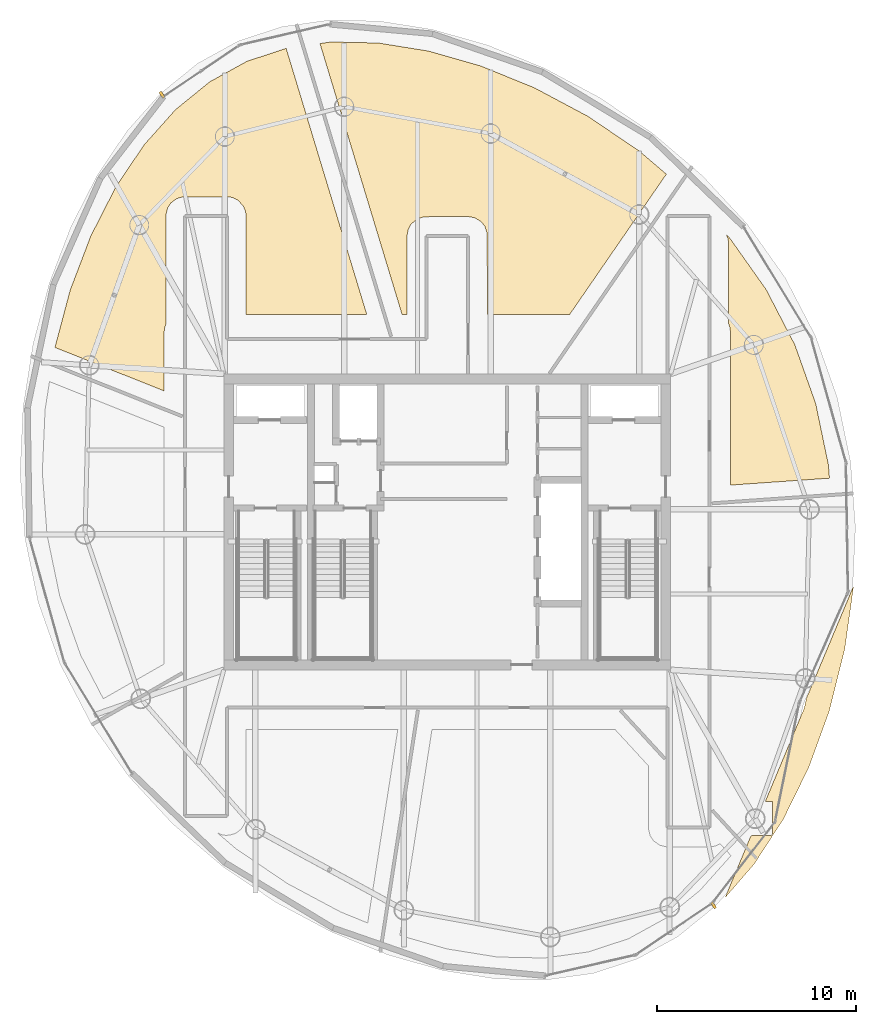
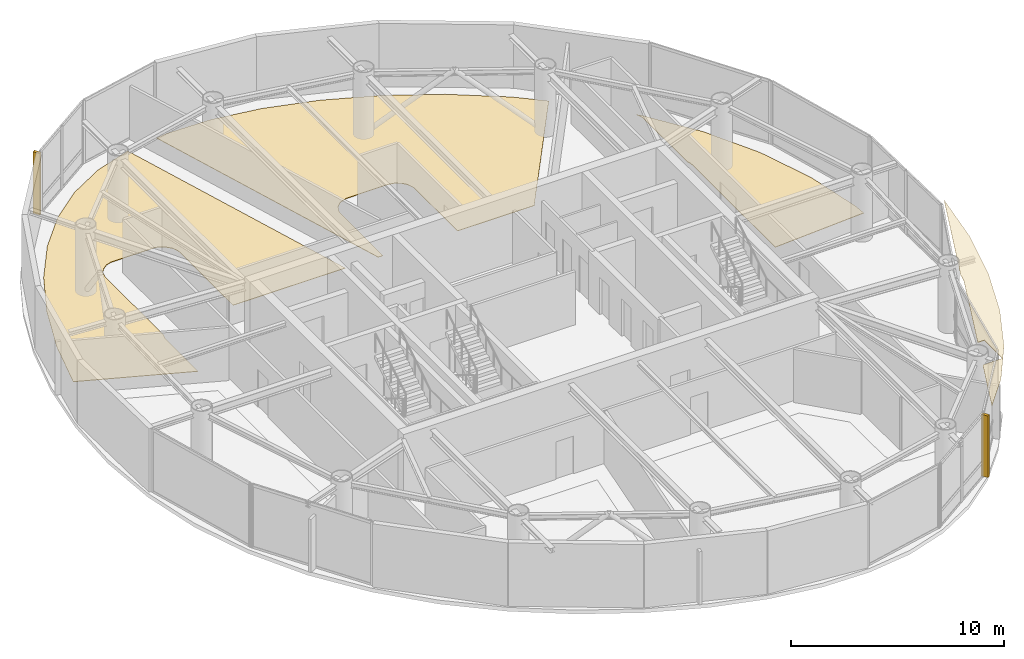
# One storey, part 19 of 19: 4 coverings, 2 shading devices.
"""IFC4 building model written with IfcOpenShell, lengths in metres."""

from ifc_helpers import new_model, si_unit, direction, frame, origin, origin_2d, place, context, subcontext, project, spatial, polyline, rectangle, outline, extrude, material, layer, layer_set, type_object, element, save


model = new_model("IFC4")

# Units and contexts
model_context = context("Model", 3, precision=1e-05, world=origin(), true_north=direction((0.0, 1.0)))
body_context = subcontext(model_context, "Body", "Model", "MODEL_VIEW")
ifc_project = project(units=[si_unit("LENGTHUNIT", "METRE"), si_unit("AREAUNIT", "SQUARE_METRE"), si_unit("VOLUMEUNIT", "CUBIC_METRE"), si_unit("PLANEANGLEUNIT", "RADIAN"), si_unit("MASSUNIT", "GRAM", prefix="KILO")], contexts=[model_context])

# Site, building, storey
site_placement = place(None, origin())
site = spatial("IfcSite", under=ifc_project, at=site_placement, CompositionType="ELEMENT")
building_placement = place(site_placement, origin())
building = spatial("IfcBuilding", under=site, at=building_placement, Name="Bramvorn Convention Spire", CompositionType="ELEMENT")
storey_placement = place(building_placement, frame((0.0, 0.0, 299.800048828125)))
storey = spatial("IfcBuildingStorey", under=building, at=storey_placement, Name="L76", CompositionType="ELEMENT", Elevation=299.800048828125)

# Coverings
ifc_material_1 = material(Name="Champagne Bronze Aluminium Composite Soffit", Category="aluminium")
ifc_layer_1 = layer(ifc_material_1, 0.02490234375)
ifc_layer_set_1 = layer_set([ifc_layer_1], Name="Champagne Bronze Aluminium Composite Soffit - COV-CLAD-SOFFIT-25")
covering_type_1 = type_object("IfcCoveringType", Name="COV-CLAD-SOFFIT-25", PredefinedType="CLADDING", material=ifc_layer_set_1)
covering_1_placement = place(storey_placement, frame((0.0, 0.0, 3.599853515625)))
element("IfcCovering", 1, at=covering_1_placement, inside=storey, type_object=covering_type_1, Name="L75 double-height Sky Garden bronze soffit", PredefinedType="CLADDING", context=body_context, shape_type="SweptSolid", body=[
    extrude(outline(polyline([(55.969970703125, 16.609619140625), (54.0087890625, 11.916259765625), (54.3662109375, 11.908203125), (54.365478515625, 10.202392578125), (53.290283203125, 10.1962890625), (51.98779296875, 7.07861328125), (53.449951171875, 8.767578125), (54.92578125, 11.0400390625), (56.197998046875, 13.63037109375), (57.237548828125, 16.490478515625), (58.00634765625, 19.5625), (58.46044921875, 22.77978515625), (56.08203125, 17.111328125), (55.969970703125, 16.609619140625)])), origin(), (0.0, 0.0, 1.0), 0.025146484375),
])
ifc_material_2 = material(Name="Honed Dolomitic Limestone Terrazzo Flooring", Category="masonry")
ifc_layer_2 = layer(ifc_material_2, 0.02490234375)
ifc_layer_set_2 = layer_set([ifc_layer_2], Name="Honed Dolomitic Limestone Terrazzo Flooring - FLR-TERRAZZO-25")
covering_type_2 = type_object("IfcCoveringType", Name="FLR-TERRAZZO-25", PredefinedType="FLOORING", material=ifc_layer_set_2)
covering_2_placement = place(storey_placement, origin())
element("IfcCovering", 2, at=covering_2_placement, inside=storey, type_object=covering_type_2, Name="L76 Signature Sky Dining Restaurant 1 1 raised floor finish", PredefinedType="FLOORING", context=body_context, shape_type="SweptSolid", body=[
    extrude(outline(polyline([(52.12060546875, 40.300048828125), (52.169189453125, 40.034423828125), (52.169921875, 35.95751953125), (52.233642578125, 35.765869140625), (52.25, 35.60009765625), (52.25, 27.848388671875), (57.241943359375, 28.197509765625), (57.191650390625, 28.8623046875), (56.55029296875, 31.951904296875), (55.498779296875, 34.917236328125), (54.04736328125, 37.70849609375), (52.22509765625, 40.28466796875), (52.028564453125, 40.497802734375), (52.12060546875, 40.300048828125)])), origin(), (0.0, 0.0, 1.0), 0.02490234375),
])
covering_3_placement = place(storey_placement, origin())
element("IfcCovering", 3, at=covering_3_placement, inside=storey, type_object=covering_type_2, Name="L76 Private Champagne Dining Salon 2 2 raised floor finish", PredefinedType="FLOORING", context=body_context, shape_type="SweptSolid", body=[
    extrude(outline(polyline([(32.149169921875, 50.16064453125), (31.5908203125, 50.0830078125), (35.7216796875, 36.449951171875), (35.97998046875, 36.449951171875), (35.98095703125, 40.441650390625), (36.034912109375, 40.72119140625), (36.16748046875, 40.972900390625), (36.4462890625, 41.228759765625), (36.8134765625, 41.360107421875), (39.050048828125, 41.3701171875), (39.38232421875, 41.311279296875), (39.697021484375, 41.12255859375), (39.885009765625, 40.8935546875), (40.008544921875, 40.548095703125), (40.02001953125, 36.449951171875), (44.1689453125, 36.449951171875), (49.031494140625, 43.506103515625), (47.67724609375, 44.660888671875), (45.093017578125, 46.41064453125), (42.409912109375, 47.8427734375), (39.708251953125, 48.943603515625), (37.06103515625, 49.701904296875), (34.527587890625, 50.109130859375), (32.149169921875, 50.16064453125)])), origin(), (0.0, 0.0, 1.0), 0.02490234375),
])
covering_4_placement = place(storey_placement, origin())
element("IfcCovering", 4, at=covering_4_placement, inside=storey, type_object=covering_type_2, Name="L76 Sunset Cocktail Dining Lounge 3 3 raised floor finish", PredefinedType="FLOORING", context=body_context, shape_type="SweptSolid", body=[
    extrude(outline(polyline([(23.75, 32.58984375), (23.75, 35.60009765625), (23.766357421875, 35.765869140625), (23.830078125, 35.95751953125), (23.83154296875, 41.45361328125), (23.920654296875, 41.809326171875), (24.085205078125, 42.0556640625), (24.3798828125, 42.274169921875), (24.66357421875, 42.360107421875), (27.048095703125, 42.3583984375), (27.232421875, 42.311279296875), (27.472900390625, 42.1826171875), (27.73486328125, 41.8935546875), (27.83935546875, 41.641357421875), (27.868896484375, 41.441650390625), (27.8701171875, 36.449951171875), (33.9453125, 36.449951171875), (29.889404296875, 49.8359375), (27.9169921875, 49.189208984375), (26.046630859375, 48.158935546875), (24.3203125, 46.756591796875), (22.73583984375, 44.98193359375), (21.305908203125, 42.851318359375), (20.05517578125, 40.398193359375), (19.017578125, 37.671630859375), (18.248046875, 34.781005859375), (23.75, 32.58984375)])), origin(), (0.0, 0.0, 1.0), 0.02490234375),
])

# Shading devices
ifc_material_3 = material(Name="Extruded Champagne Bronze Aluminium Lancet Fin", Category="aluminium")
shading_device_type = type_object("IfcShadingDeviceType", Name="SHD-FIN-LANCET", PredefinedType="SHUTTER", material=ifc_material_3)
for number, where, z_axis, x_axis, name in (
    (5, (51.404052734375, 6.697509765625, 0.050048828125), (0.0, 0.0, 1.0), (0.570383946598, -0.821378203669, 0.0), "L76 Gothic bronze wind-corner fin 01"),
    (6, (23.640625, 47.5048828125, 0.050048828125), (0.0, 0.0, 1.0), (-0.555310632709, 0.831643013077, 0.0), "L76 Gothic bronze wind-corner fin 13"),
):
    element("IfcShadingDevice", number, at=place(storey_placement, frame(where, z_axis=z_axis, x_axis=x_axis)), inside=storey, type_object=shading_device_type, Name=name, PredefinedType="SHUTTER", context=body_context, shape_type="SweptSolid", body=[
        extrude(rectangle(XDim=0.360107421875, YDim=0.139892578125, at=origin_2d()), origin(), (0.0, 0.0, 1.0), 3.52490234375),
    ])

save(model, "model.ifc")
